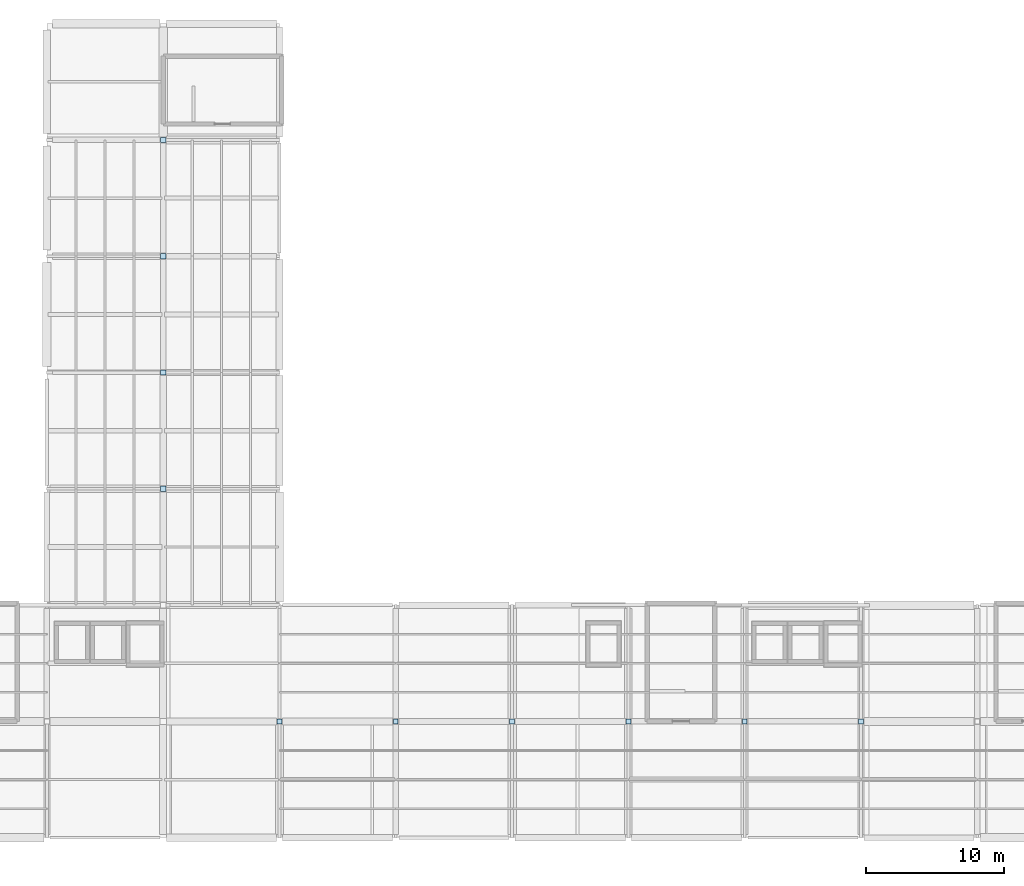
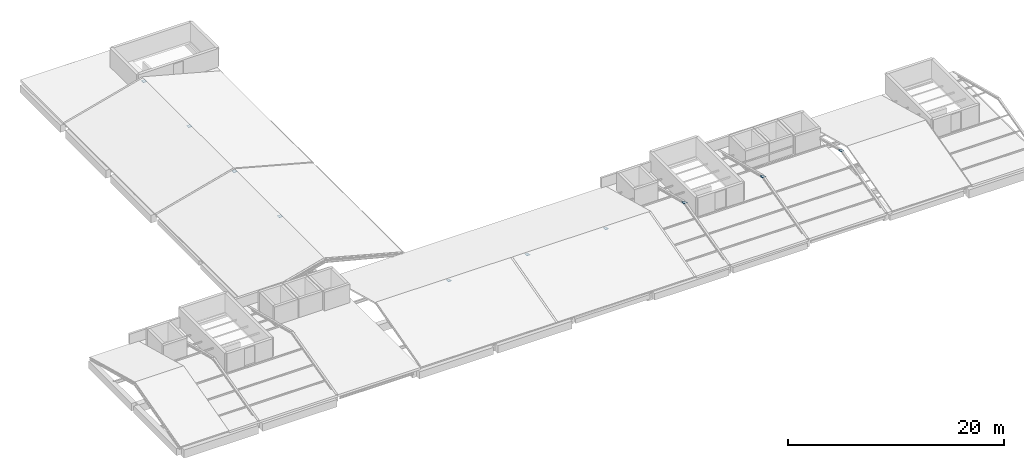
# One storey, part 11 of 17: 10 plates.
"""IFC4 building model written with IfcOpenShell, lengths in metres."""

from ifc_helpers import new_model, si_unit, derived_unit, direction, frame, origin, origin_2d, place, context, subcontext, project, spatial, rectangle, extrude, material, layer, layer_set, type_object, element, save


model = new_model("IFC4")

# Units and contexts
model_context = context("Model", 3, precision=1e-05, world=origin(), true_north=direction((0.0, 1.0)))
body_context = subcontext(model_context, "Body", "Model", "MODEL_VIEW")
ifc_project = project(units=[si_unit("LENGTHUNIT", "METRE"), si_unit("AREAUNIT", "SQUARE_METRE"), si_unit("VOLUMEUNIT", "CUBIC_METRE"), si_unit("PLANEANGLEUNIT", "RADIAN"), si_unit("MASSUNIT", "GRAM", prefix="KILO"), derived_unit("THERMALTRANSMITTANCEUNIT", [(si_unit("POWERUNIT", "WATT"), 1), (si_unit("LENGTHUNIT", "METRE"), -2), (si_unit("THERMODYNAMICTEMPERATUREUNIT", "KELVIN"), -1)])], contexts=[model_context])

# Site, building, storey
site_placement = place(None, origin())
site = spatial("IfcSite", under=ifc_project, at=site_placement, CompositionType="ELEMENT")
building_placement = place(site_placement, origin())
building = spatial("IfcBuilding", under=site, at=building_placement, Name="Barrovel Congress Hotel", CompositionType="ELEMENT")
storey_placement = place(building_placement, frame((0.0, 0.0, 47.10009765625)))
storey = spatial("IfcBuildingStorey", under=building, at=storey_placement, Name="RF", CompositionType="ELEMENT", Elevation=47.10009765625)

# Plates
ifc_material = material(Name="Steel ASTM A992 Grade 50", Category="steel")
ifc_layer_1 = layer(ifc_material, 0.01611328125)
ifc_layer_set_1 = layer_set([ifc_layer_1], Name="Steel ASTM A992 Grade 50")
plate_type_1 = type_object("IfcPlateType", Name="GP-16", PredefinedType="SHEET", material=ifc_layer_set_1)
for number, where, z_axis, x_axis, name in (
    (1, (50.39990234375, 12.60009765625, 1.99267578125), (0.0, 0.0, 1.0), (1.0, 0.0, 0.0), "RF-RAF-GP:50.4"),
    (2, (58.800048828125, 12.60009765625, 1.99267578125), (0.0, 0.0, 1.0), (1.0, 0.0, 0.0), "RF-RAF-GP:58.8"),
    (3, (67.199951171875, 12.60009765625, 1.99267578125), (0.0, 0.0, 1.0), (1.0, 0.0, 0.0), "RF-RAF-GP:67.2"),
    (4, (75.60009765625, 12.60009765625, 1.99267578125), (0.0, 0.0, 1.0), (1.0, 0.0, 0.0), "RF-RAF-GP:75.6"),
    (5, (84.0, 12.60009765625, 1.99267578125), (0.0, 0.0, 1.0), (1.0, 0.0, 0.0), "RF-RAF-GP:84.0"),
    (6, (92.39990234375, 12.60009765625, 1.99267578125), (0.0, 0.0, 1.0), (1.0, 0.0, 0.0), "RF-RAF-GP:92.4"),
):
    element("IfcPlate", number, at=place(storey_placement, frame(where, z_axis=z_axis, x_axis=x_axis)), inside=storey, type_object=plate_type_1, Name=name, PredefinedType="SHEET", context=body_context, shape_type="SweptSolid", body=[
        extrude(rectangle(XDim=0.35009765625, YDim=0.35009765625, at=origin_2d()), origin(), (0.0, 0.0, 1.0), 0.01611328125),
    ])
ifc_layer_2 = layer(ifc_material, 0.035888671875)
ifc_layer_set_2 = layer_set([ifc_layer_2], Name="Steel ASTM A992 Grade 50")
plate_type_2 = type_object("IfcPlateType", Name="GP-36", PredefinedType="SHEET", material=ifc_layer_set_2)
for number, where, z_axis, x_axis, name in (
    (7, (42.0, 29.39990234375, 1.98291015625), (0.0, 0.0, 1.0), (1.0, 0.0, 0.0), "RF-WRAF-GP:29.4"),
    (8, (42.0, 37.800048828125, 1.98291015625), (0.0, 0.0, 1.0), (1.0, 0.0, 0.0), "RF-WRAF-GP:37.8"),
    (9, (42.0, 46.199951171875, 1.98291015625), (0.0, 0.0, 1.0), (1.0, 0.0, 0.0), "RF-WRAF-GP:46.2"),
    (10, (42.0, 54.60009765625, 1.98291015625), (0.0, 0.0, 1.0), (1.0, 0.0, 0.0), "RF-WRAF-GP:54.6"),
):
    element("IfcPlate", number, at=place(storey_placement, frame(where, z_axis=z_axis, x_axis=x_axis)), inside=storey, type_object=plate_type_2, Name=name, PredefinedType="SHEET", context=body_context, shape_type="SweptSolid", body=[
        extrude(rectangle(XDim=0.3798828125, YDim=0.3798828125, at=origin_2d()), origin(), (0.0, 0.0, 1.0), 0.035888671875),
    ])

save(model, "model.ifc")
